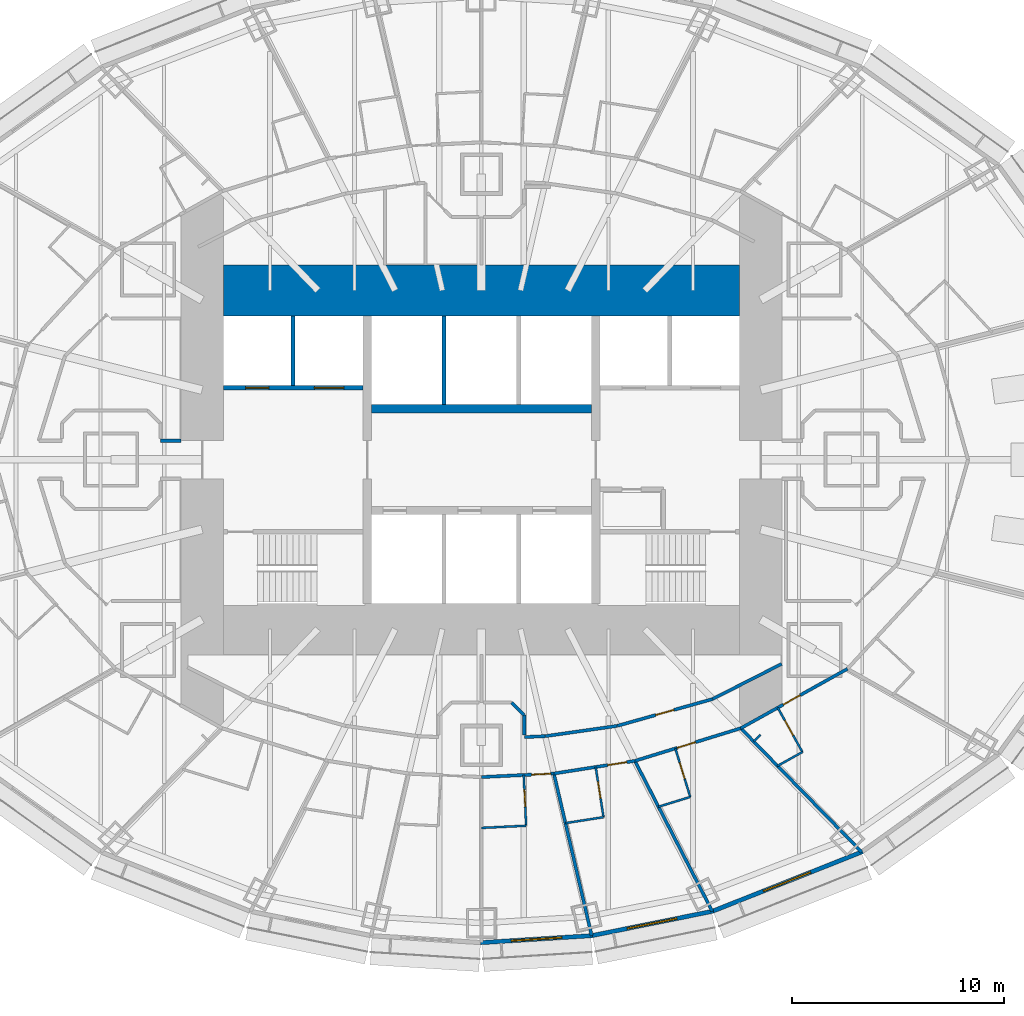
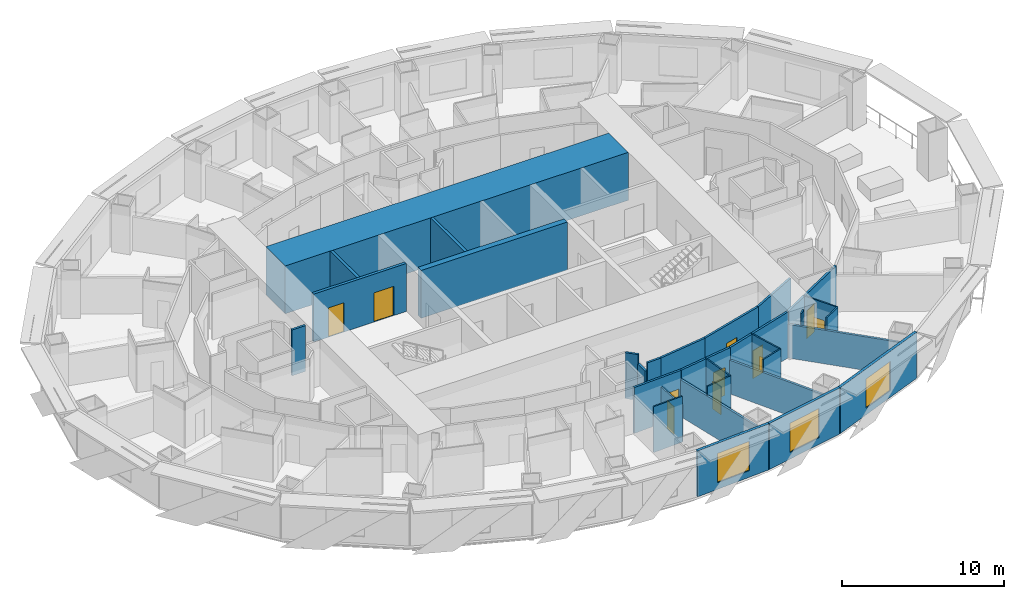
# One storey, part 7 of 17: 31 walls, 11 doors, 3 windows, 14 openings.
"""IFC4 building model written with IfcOpenShell, lengths in metres."""

from ifc_helpers import new_model, si_unit, direction, frame, frame_2d, origin, place, context, subcontext, project, spatial, rectangle, extrude, material, layer, layer_set, type_object, element, fill, save


model = new_model("IFC4")

# Units and contexts
model_context = context("Model", 3, precision=1e-05, world=origin(), true_north=direction((0.0, 1.0)))
body_context = subcontext(model_context, "Body", "Model", "MODEL_VIEW")
ifc_project = project(units=[si_unit("LENGTHUNIT", "METRE"), si_unit("AREAUNIT", "SQUARE_METRE"), si_unit("VOLUMEUNIT", "CUBIC_METRE"), si_unit("PLANEANGLEUNIT", "RADIAN"), si_unit("MASSUNIT", "GRAM", prefix="KILO")], contexts=[model_context])

# Site, building, storey
site_placement = place(None, origin())
site = spatial("IfcSite", under=ifc_project, at=site_placement, CompositionType="ELEMENT")
building_placement = place(site_placement, origin())
building = spatial("IfcBuilding", under=site, at=building_placement, Name="Lantaw Convention Tower", CompositionType="ELEMENT")
storey_placement = place(building_placement, frame((0.0, 0.0, 69.39990234375)))
storey = spatial("IfcBuildingStorey", under=building, at=storey_placement, Name="L15", CompositionType="ELEMENT", Elevation=69.39990234375)

# Walls
ifc_material_1 = material(Name="Gypsum board on steel studs", Category="steel")
ifc_layer_1 = layer(ifc_material_1, 0.14990234375)
ifc_layer_set_1 = layer_set([ifc_layer_1], Name="Back of house wall 150")
wall_type_1 = type_object("IfcWallType", Name="Back of house wall 150", PredefinedType="PARTITIONING", material=ifc_layer_set_1)
wall_1_placement = place(storey_placement, frame((1.424560546875, -11.47509765625, 0.0), z_axis=(0.0, 0.0, 1.0), x_axis=(0.707106781187, -0.707106781187, 0.0)))
element("IfcWall", 1, at=wall_1_placement, inside=storey, type_object=wall_type_1, Name="Back of house wall 150", PredefinedType="PARTITIONING", context=body_context, shape_type="SweptSolid", body=[
    extrude(rectangle(XDim=0.84912109375, YDim=0.14990234375, at=frame_2d((0.424560546875, 0.0))), origin(), (0.0, 0.0, 1.0), 3.4501953125),
])
wall_2_placement = place(storey_placement, frame((2.02490234375, -12.075439453125, 0.0), z_axis=(0.0, 0.0, 1.0), x_axis=(0.0, -1.0, 0.0)))
element("IfcWall", 2, at=wall_2_placement, inside=storey, type_object=wall_type_1, Name="Back of house wall 150", PredefinedType="PARTITIONING", context=body_context, shape_type="SweptSolid", body=[
    extrude(rectangle(XDim=0.9296875, YDim=0.14990234375, at=frame_2d((0.46484375, 0.0))), origin(), (0.0, 0.0, 1.0), 2.7490234375),
])

# Wall, opening, door
ifc_material_2 = material(Name="Moisture resistant gypsum board on steel studs", Category="steel")
ifc_layer_2 = layer(ifc_material_2, 0.10009765625)
ifc_layer_set_2 = layer_set([ifc_layer_2], Name="Bathroom wall 100")
wall_type_2 = type_object("IfcWallType", Name="Bathroom wall 100", PredefinedType="PARTITIONING", material=ifc_layer_set_2)
wall_3_placement = place(storey_placement, frame((1.99755859375, -14.902587890625, 0.0), z_axis=(0.0, 0.0, 1.0), x_axis=(0.048831470304, -0.998807032168, 0.0)))
wall_3 = element("IfcWall", 3, at=wall_3_placement, inside=storey, type_object=wall_type_2, Name="Bathroom wall 100", PredefinedType="PARTITIONING", context=body_context, shape_type="SweptSolid", body=[
    extrude(rectangle(XDim=2.39990234375, YDim=0.10009765625, at=frame_2d((1.199951171875, 0.0))), origin(), (0.0, 0.0, 1.0), 2.7490234375),
])
opening_1_placement = place(wall_3_placement, frame((0.699951171875, 0.0, 0.0)))
opening_1 = element("IfcOpeningElement", 4, at=opening_1_placement, cuts=wall_3, Name="Opening L15.59", PredefinedType="OPENING", context=body_context, shape_type="SweptSolid", body=[
    extrude(rectangle(XDim=0.800048828125, YDim=2.10009765625, at=frame_2d((0.39990234375, 1.050048828125))), frame((0.0, 0.06005859375, 0.0), z_axis=(0.0, -1.0, 0.0), x_axis=(1.0, 0.0, 0.0)), (0.0, 0.0, 1.0), 0.1201171875),
])
ifc_material_3 = material(Name="Timber", Category="wood")
door_type_1 = type_object("IfcDoorType", Name="Bathroom door 800", OperationType="SINGLE_SWING_LEFT", PredefinedType="DOOR", material=ifc_material_3)
door_1_placement = place(opening_1_placement, origin())
door_1 = element("IfcDoor", 5, at=door_1_placement, inside=storey, type_object=door_type_1, Name="Bathroom door", OperationType="SINGLE_SWING_LEFT", OverallHeight=2.10009765625, OverallWidth=0.800048828125, PredefinedType="DOOR", context=body_context, shape_type="SweptSolid", body=[
    extrude(rectangle(XDim=0.800048828125, YDim=2.10009765625, at=frame_2d((0.39990234375, 1.050048828125))), frame((0.0, 0.02490234375, 0.0), z_axis=(0.0, -1.0, 0.0), x_axis=(1.0, 0.0, 0.0)), (0.0, 0.0, 1.0), 0.050048828125),
])
fill(opening_1, door_1)

# Wall
wall_4_placement = place(storey_placement, frame((2.11474609375, -17.299560546875, 0.0), z_axis=(0.0, 0.0, 1.0), x_axis=(-0.998809749254, -0.048775862842, 0.0)))
element("IfcWall", 6, at=wall_4_placement, inside=storey, type_object=wall_type_2, Name="Bathroom wall 100", PredefinedType="PARTITIONING", context=body_context, shape_type="SweptSolid", body=[
    extrude(rectangle(XDim=2.1171875, YDim=0.10009765625, at=frame_2d((1.05859375, 0.0))), origin(), (0.0, 0.0, 1.0), 3.4501953125),
])

# Wall, opening, door
wall_5_placement = place(storey_placement, frame((5.400390625, -14.524169921875, 0.0), z_axis=(0.0, 0.0, 1.0), x_axis=(0.154426532979, -0.988004274238, 0.0)))
wall_5 = element("IfcWall", 7, at=wall_5_placement, inside=storey, type_object=wall_type_2, Name="Bathroom wall 100", PredefinedType="PARTITIONING", context=body_context, shape_type="SweptSolid", body=[
    extrude(rectangle(XDim=2.39990234375, YDim=0.10009765625, at=frame_2d((1.199951171875, 0.0))), origin(), (0.0, 0.0, 1.0), 3.4501953125),
])
opening_2_placement = place(wall_5_placement, frame((0.699951171875, 0.0, 0.0)))
opening_2 = element("IfcOpeningElement", 8, at=opening_2_placement, cuts=wall_5, Name="Opening L15.61", PredefinedType="OPENING", context=body_context, shape_type="SweptSolid", body=[
    extrude(rectangle(XDim=0.800048828125, YDim=2.10009765625, at=frame_2d((0.39990234375, 1.050048828125))), frame((0.0, 0.06005859375, 0.0), z_axis=(0.0, -1.0, 0.0), x_axis=(1.0, 0.0, 0.0)), (0.0, 0.0, 1.0), 0.1201171875),
])
door_2_placement = place(opening_2_placement, origin())
door_2 = element("IfcDoor", 9, at=door_2_placement, inside=storey, type_object=door_type_1, Name="Bathroom door", OperationType="SINGLE_SWING_LEFT", OverallHeight=2.10009765625, OverallWidth=0.800048828125, PredefinedType="DOOR", context=body_context, shape_type="SweptSolid", body=[
    extrude(rectangle(XDim=0.800048828125, YDim=2.10009765625, at=frame_2d((0.39990234375, 1.050048828125))), frame((0.0, 0.02490234375, 0.0), z_axis=(0.0, -1.0, 0.0), x_axis=(1.0, 0.0, 0.0)), (0.0, 0.0, 1.0), 0.050048828125),
])
fill(opening_2, door_2)

# Wall
wall_6_placement = place(storey_placement, frame((5.77099609375, -16.895263671875, 0.0), z_axis=(0.0, 0.0, 1.0), x_axis=(-0.98801840204, -0.154336117711, 0.0)))
element("IfcWall", 10, at=wall_6_placement, inside=storey, type_object=wall_type_2, Name="Bathroom wall 100", PredefinedType="PARTITIONING", context=body_context, shape_type="SweptSolid", body=[
    extrude(rectangle(XDim=1.8271484375, YDim=0.10009765625, at=frame_2d((0.91357421875, 0.0))), origin(), (0.0, 0.0, 1.0), 3.4501953125),
])

# Wall, opening, door
wall_7_placement = place(storey_placement, frame((9.164306640625, -13.645751953125, 0.0), z_axis=(0.0, 0.0, 1.0), x_axis=(0.294507586191, -0.955649141514, 0.0)))
wall_7 = element("IfcWall", 11, at=wall_7_placement, inside=storey, type_object=wall_type_2, Name="Bathroom wall 100", PredefinedType="PARTITIONING", context=body_context, shape_type="SweptSolid", body=[
    extrude(rectangle(XDim=2.39990234375, YDim=0.10009765625, at=frame_2d((1.199951171875, 0.0))), origin(), (0.0, 0.0, 1.0), 3.4501953125),
])
opening_3_placement = place(wall_7_placement, frame((0.699951171875, 0.0, 0.0)))
opening_3 = element("IfcOpeningElement", 12, at=opening_3_placement, cuts=wall_7, Name="Opening L15.63", PredefinedType="OPENING", context=body_context, shape_type="SweptSolid", body=[
    extrude(rectangle(XDim=0.800048828125, YDim=2.10009765625, at=frame_2d((0.39990234375, 1.050048828125))), frame((0.0, 0.06005859375, 0.0), z_axis=(0.0, -1.0, 0.0), x_axis=(1.0, 0.0, 0.0)), (0.0, 0.0, 1.0), 0.1201171875),
])
door_3_placement = place(opening_3_placement, origin())
door_3 = element("IfcDoor", 13, at=door_3_placement, inside=storey, type_object=door_type_1, Name="Bathroom door", OperationType="SINGLE_SWING_LEFT", OverallHeight=2.10009765625, OverallWidth=0.800048828125, PredefinedType="DOOR", context=body_context, shape_type="SweptSolid", body=[
    extrude(rectangle(XDim=0.800048828125, YDim=2.10009765625, at=frame_2d((0.39990234375, 1.050048828125))), frame((0.0, 0.02490234375, 0.0), z_axis=(0.0, -1.0, 0.0), x_axis=(1.0, 0.0, 0.0)), (0.0, 0.0, 1.0), 0.050048828125),
])
fill(opening_3, door_3)

# Wall
wall_8_placement = place(storey_placement, frame((9.87109375, -15.939208984375, 0.0), z_axis=(0.0, 0.0, 1.0), x_axis=(-0.955642133669, -0.29453032502, 0.0)))
element("IfcWall", 14, at=wall_8_placement, inside=storey, type_object=wall_type_2, Name="Bathroom wall 100", PredefinedType="PARTITIONING", context=body_context, shape_type="SweptSolid", body=[
    extrude(rectangle(XDim=1.58251953125, YDim=0.10009765625, at=frame_2d((0.791259765625, 0.0))), origin(), (0.0, 0.0, 1.0), 3.4501953125),
])

# Wall, opening, door
wall_9_placement = place(storey_placement, frame((14.00439453125, -11.719482421875, 0.0), z_axis=(0.0, 0.0, 1.0), x_axis=(0.486445964861, -0.873710663361, 0.0)))
wall_9 = element("IfcWall", 15, at=wall_9_placement, inside=storey, type_object=wall_type_2, Name="Bathroom wall 100", PredefinedType="PARTITIONING", context=body_context, shape_type="SweptSolid", body=[
    extrude(rectangle(XDim=2.39990234375, YDim=0.10009765625, at=frame_2d((1.199951171875, 0.0))), origin(), (0.0, 0.0, 1.0), 3.4501953125),
])
opening_4_placement = place(wall_9_placement, frame((0.699951171875, 0.0, 0.0)))
opening_4 = element("IfcOpeningElement", 16, at=opening_4_placement, cuts=wall_9, Name="Opening L15.65", PredefinedType="OPENING", context=body_context, shape_type="SweptSolid", body=[
    extrude(rectangle(XDim=0.800048828125, YDim=2.10009765625, at=frame_2d((0.39990234375, 1.050048828125))), frame((0.0, 0.06005859375, 0.0), z_axis=(0.0, -1.0, 0.0), x_axis=(1.0, 0.0, 0.0)), (0.0, 0.0, 1.0), 0.1201171875),
])
door_4_placement = place(opening_4_placement, origin())
door_4 = element("IfcDoor", 17, at=door_4_placement, inside=storey, type_object=door_type_1, Name="Bathroom door", OperationType="SINGLE_SWING_LEFT", OverallHeight=2.10009765625, OverallWidth=0.800048828125, PredefinedType="DOOR", context=body_context, shape_type="SweptSolid", body=[
    extrude(rectangle(XDim=0.800048828125, YDim=2.10009765625, at=frame_2d((0.39990234375, 1.050048828125))), frame((0.0, 0.02490234375, 0.0), z_axis=(0.0, -1.0, 0.0), x_axis=(1.0, 0.0, 0.0)), (0.0, 0.0, 1.0), 0.050048828125),
])
fill(opening_4, door_4)

# Walls
wall_10_placement = place(storey_placement, frame((15.171875, -13.81640625, 0.0), z_axis=(0.0, 0.0, 1.0), x_axis=(-0.873640924532, -0.486571202377, 0.0)))
element("IfcWall", 18, at=wall_10_placement, inside=storey, type_object=wall_type_2, Name="Bathroom wall 100", PredefinedType="PARTITIONING", context=body_context, shape_type="SweptSolid", body=[
    extrude(rectangle(XDim=1.36181640625, YDim=0.10009765625, at=frame_2d((0.680908203125, 0.0))), origin(), (0.0, 0.0, 1.0), 3.4501953125),
])
ifc_material_4 = material(Name="Concrete C60/75", Category="concrete")
ifc_layer_3 = layer(ifc_material_4, 2.39990234375)
ifc_layer_set_3 = layer_set([ifc_layer_3], Name="Core wall 2400")
wall_type_3 = type_object("IfcWallType", Name="Core wall 2400", PredefinedType="SHEAR", material=ifc_layer_set_3)
wall_11_placement = place(storey_placement, frame((12.199951171875, 8.0, 0.0), z_axis=(0.0, 0.0, 1.0), x_axis=(-1.0, 0.0, 0.0)))
element("IfcWall", 19, at=wall_11_placement, inside=storey, type_object=wall_type_3, Name="Core wall N", PredefinedType="SHEAR", context=body_context, shape_type="SweptSolid", body=[
    extrude(rectangle(XDim=24.39990234375, YDim=2.39990234375, at=frame_2d((12.199951171875, 0.0))), origin(), (0.0, 0.0, 1.0), 3.60009765625),
])
ifc_layer_4 = layer(ifc_material_4, 0.39990234375)
ifc_layer_set_4 = layer_set([ifc_layer_4], Name="Core wall 400")
wall_type_4 = type_object("IfcWallType", Name="Core wall 400", PredefinedType="SHEAR", material=ifc_layer_set_4)
wall_12_placement = place(storey_placement, frame((5.199951171875, 2.39990234375, 0.0), z_axis=(0.0, 0.0, 1.0), x_axis=(-1.0, 0.0, 0.0)))
element("IfcWall", 20, at=wall_12_placement, inside=storey, type_object=wall_type_4, Name="Core wall BN", PredefinedType="SHEAR", context=body_context, shape_type="SweptSolid", body=[
    extrude(rectangle(XDim=10.39990234375, YDim=0.39990234375, at=frame_2d((5.199951171875, 0.0))), origin(), (0.0, 0.0, 1.0), 3.60009765625),
])

# Wall, opening, door
ifc_material_5 = material(Name="Gypsum board on steel studs, fire rated", Category="steel")
ifc_layer_5 = layer(ifc_material_5, 0.14990234375)
ifc_layer_set_5 = layer_set([ifc_layer_5], Name="Corridor wall 150 EI 60")
wall_type_5 = type_object("IfcWallType", Name="Corridor wall 150 EI 60", PredefinedType="PARTITIONING", material=ifc_layer_set_5)
wall_13_placement = place(storey_placement, frame((0.0, -15.0, 0.0), z_axis=(0.0, 0.0, 1.0), x_axis=(0.998809560203, 0.048779733975, 0.0)))
wall_13 = element("IfcWall", 21, at=wall_13_placement, inside=storey, type_object=wall_type_5, Name="Corridor wall 150", PredefinedType="PARTITIONING", context=body_context, shape_type="SweptSolid", body=[
    extrude(rectangle(XDim=3.428466796875, YDim=0.14990234375, at=frame_2d((1.71435546875, 0.0))), origin(), (0.0, 0.0, 1.0), 3.4501953125),
])
opening_5_placement = place(wall_13_placement, frame((2.37841796875, 0.0, 0.0)))
opening_5 = element("IfcOpeningElement", 22, at=opening_5_placement, cuts=wall_13, Name="Opening L15.60", PredefinedType="OPENING", context=body_context, shape_type="SweptSolid", body=[
    extrude(rectangle(XDim=0.89990234375, YDim=2.10009765625, at=frame_2d((0.449951171875, 1.050048828125))), frame((0.0, 0.0849609375, 0.0), z_axis=(0.0, -1.0, 0.0), x_axis=(1.0, 0.0, 0.0)), (0.0, 0.0, 1.0), 0.169921875),
])
ifc_material_6 = material(Name="Steel, fire rated", Category="steel")
door_type_2 = type_object("IfcDoorType", Name="Guest room entrance door FD30S", OperationType="SINGLE_SWING_LEFT", PredefinedType="DOOR", material=ifc_material_6)
door_5_placement = place(opening_5_placement, origin())
door_5 = element("IfcDoor", 23, at=door_5_placement, inside=storey, type_object=door_type_2, Name="Guest room entrance door", OperationType="SINGLE_SWING_LEFT", OverallHeight=2.10009765625, OverallWidth=0.89990234375, PredefinedType="DOOR", context=body_context, shape_type="SweptSolid", body=[
    extrude(rectangle(XDim=0.89990234375, YDim=2.10009765625, at=frame_2d((0.449951171875, 1.050048828125))), frame((0.0, 0.02490234375, 0.0), z_axis=(0.0, -1.0, 0.0), x_axis=(1.0, 0.0, 0.0)), (0.0, 0.0, 1.0), 0.050048828125),
])
fill(opening_5, door_5)

wall_14_placement = place(storey_placement, frame((3.42431640625, -14.832763671875, 0.0), z_axis=(0.0, 0.0, 1.0), x_axis=(0.988015036573, 0.154357660987, 0.0)))
wall_14 = element("IfcWall", 24, at=wall_14_placement, inside=storey, type_object=wall_type_5, Name="Corridor wall 150", PredefinedType="PARTITIONING", context=body_context, shape_type="SweptSolid", body=[
    extrude(rectangle(XDim=3.875, YDim=0.14990234375, at=frame_2d((1.9375, 0.0))), origin(), (0.0, 0.0, 1.0), 3.4501953125),
])
opening_6_placement = place(wall_14_placement, frame((2.583251953125, 0.0, 0.0)))
opening_6 = element("IfcOpeningElement", 25, at=opening_6_placement, cuts=wall_14, Name="Opening L15.62", PredefinedType="OPENING", context=body_context, shape_type="SweptSolid", body=[
    extrude(rectangle(XDim=0.89990234375, YDim=2.10009765625, at=frame_2d((0.449951171875, 1.050048828125))), frame((0.0, 0.0849609375, 0.0), z_axis=(0.0, -1.0, 0.0), x_axis=(1.0, 0.0, 0.0)), (0.0, 0.0, 1.0), 0.169921875),
])
door_6_placement = place(opening_6_placement, origin())
door_6 = element("IfcDoor", 26, at=door_6_placement, inside=storey, type_object=door_type_2, Name="Guest room entrance door", OperationType="SINGLE_SWING_LEFT", OverallHeight=2.10009765625, OverallWidth=0.89990234375, PredefinedType="DOOR", context=body_context, shape_type="SweptSolid", body=[
    extrude(rectangle(XDim=0.89990234375, YDim=2.10009765625, at=frame_2d((0.449951171875, 1.050048828125))), frame((0.0, 0.02490234375, 0.0), z_axis=(0.0, -1.0, 0.0), x_axis=(1.0, 0.0, 0.0)), (0.0, 0.0, 1.0), 0.050048828125),
])
fill(opening_6, door_6)

wall_15_placement = place(storey_placement, frame((7.2529296875, -14.234619140625, 0.0), z_axis=(0.0, 0.0, 1.0), x_axis=(0.955657956744, 0.294478980085, 0.0)))
wall_15 = element("IfcWall", 27, at=wall_15_placement, inside=storey, type_object=wall_type_5, Name="Corridor wall 150", PredefinedType="PARTITIONING", context=body_context, shape_type="SweptSolid", body=[
    extrude(rectangle(XDim=5.236328125, YDim=0.14990234375, at=frame_2d((2.6181640625, 0.0))), origin(), (0.0, 0.0, 1.0), 3.4501953125),
])
opening_7_placement = place(wall_15_placement, frame((2.10009765625, 0.0, 0.0)))
opening_7 = element("IfcOpeningElement", 28, at=opening_7_placement, cuts=wall_15, Name="Opening L15.64", PredefinedType="OPENING", context=body_context, shape_type="SweptSolid", body=[
    extrude(rectangle(XDim=0.89990234375, YDim=2.10009765625, at=frame_2d((0.449951171875, 1.050048828125))), frame((0.0, 0.0849609375, 0.0), z_axis=(0.0, -1.0, 0.0), x_axis=(1.0, 0.0, 0.0)), (0.0, 0.0, 1.0), 0.169921875),
])
door_7_placement = place(opening_7_placement, origin())
door_7 = element("IfcDoor", 29, at=door_7_placement, inside=storey, type_object=door_type_2, Name="Guest room entrance door", OperationType="SINGLE_SWING_LEFT", OverallHeight=2.10009765625, OverallWidth=0.89990234375, PredefinedType="DOOR", context=body_context, shape_type="SweptSolid", body=[
    extrude(rectangle(XDim=0.89990234375, YDim=2.10009765625, at=frame_2d((0.449951171875, 1.050048828125))), frame((0.0, 0.02490234375, 0.0), z_axis=(0.0, -1.0, 0.0), x_axis=(1.0, 0.0, 0.0)), (0.0, 0.0, 1.0), 0.050048828125),
])
fill(opening_7, door_7)

wall_16_placement = place(storey_placement, frame((12.257080078125, -12.692626953125, 0.0), z_axis=(0.0, 0.0, 1.0), x_axis=(0.873695910579, 0.486472461541, 0.0)))
wall_16 = element("IfcWall", 30, at=wall_16_placement, inside=storey, type_object=wall_type_5, Name="Corridor wall 150", PredefinedType="PARTITIONING", context=body_context, shape_type="SweptSolid", body=[
    extrude(rectangle(XDim=5.77099609375, YDim=0.14990234375, at=frame_2d((2.885498046875, 0.0))), origin(), (0.0, 0.0, 1.0), 3.4501953125),
])
opening_8_placement = place(wall_16_placement, frame((2.306396484375, 0.0, 0.0)))
opening_8 = element("IfcOpeningElement", 31, at=opening_8_placement, cuts=wall_16, Name="Opening L15.66", PredefinedType="OPENING", context=body_context, shape_type="SweptSolid", body=[
    extrude(rectangle(XDim=0.89990234375, YDim=2.10009765625, at=frame_2d((0.449951171875, 1.050048828125))), frame((0.0, 0.0849609375, 0.0), z_axis=(0.0, -1.0, 0.0), x_axis=(1.0, 0.0, 0.0)), (0.0, 0.0, 1.0), 0.169921875),
])
door_8_placement = place(opening_8_placement, origin())
door_8 = element("IfcDoor", 32, at=door_8_placement, inside=storey, type_object=door_type_2, Name="Guest room entrance door", OperationType="SINGLE_SWING_LEFT", OverallHeight=2.10009765625, OverallWidth=0.89990234375, PredefinedType="DOOR", context=body_context, shape_type="SweptSolid", body=[
    extrude(rectangle(XDim=0.89990234375, YDim=2.10009765625, at=frame_2d((0.449951171875, 1.050048828125))), frame((0.0, 0.02490234375, 0.0), z_axis=(0.0, -1.0, 0.0), x_axis=(1.0, 0.0, 0.0)), (0.0, 0.0, 1.0), 0.050048828125),
])
fill(opening_8, door_8)

# Wall
wall_17_placement = place(storey_placement, frame((3.016357421875, -13.065673828125, 0.0), z_axis=(0.0, 0.0, 1.0), x_axis=(0.990002114939, 0.14105251652, 0.0)))
element("IfcWall", 33, at=wall_17_placement, inside=storey, type_object=wall_type_5, Name="Corridor wall 150", PredefinedType="PARTITIONING", context=body_context, shape_type="SweptSolid", body=[
    extrude(rectangle(XDim=3.4287109375, YDim=0.14990234375, at=frame_2d((1.71435546875, 0.0))), origin(), (0.0, 0.0, 1.0), 3.4501953125),
])

# Wall, opening, door
wall_18_placement = place(storey_placement, frame((6.410888671875, -12.58203125, 0.0), z_axis=(0.0, 0.0, 1.0), x_axis=(0.962643729928, 0.270771211967, 0.0)))
wall_18 = element("IfcWall", 34, at=wall_18_placement, inside=storey, type_object=wall_type_5, Name="Corridor wall 150", PredefinedType="PARTITIONING", context=body_context, shape_type="SweptSolid", body=[
    extrude(rectangle(XDim=4.6884765625, YDim=0.14990234375, at=frame_2d((2.34423828125, 0.0))), origin(), (0.0, 0.0, 1.0), 3.4501953125),
])
opening_9_placement = place(wall_18_placement, frame((1.894287109375, 0.0, 0.0)))
opening_9 = element("IfcOpeningElement", 35, at=opening_9_placement, cuts=wall_18, Name="Opening L15.23", PredefinedType="OPENING", context=body_context, shape_type="SweptSolid", body=[
    extrude(rectangle(XDim=0.89990234375, YDim=2.10009765625, at=frame_2d((0.449951171875, 1.050048828125))), frame((0.0, 0.0849609375, 0.0), z_axis=(0.0, -1.0, 0.0), x_axis=(1.0, 0.0, 0.0)), (0.0, 0.0, 1.0), 0.169921875),
])
door_type_3 = type_object("IfcDoorType", Name="Service door 900 FD30", OperationType="SINGLE_SWING_LEFT", PredefinedType="DOOR", material=ifc_material_6)
door_9_placement = place(opening_9_placement, origin())
door_9 = element("IfcDoor", 36, at=door_9_placement, inside=storey, type_object=door_type_3, Name="Guest ice and vending room door", OperationType="SINGLE_SWING_LEFT", OverallHeight=2.10009765625, OverallWidth=0.89990234375, PredefinedType="DOOR", context=body_context, shape_type="SweptSolid", body=[
    extrude(rectangle(XDim=0.89990234375, YDim=2.10009765625, at=frame_2d((0.449951171875, 1.050048828125))), frame((0.0, 0.02490234375, 0.0), z_axis=(0.0, -1.0, 0.0), x_axis=(1.0, 0.0, 0.0)), (0.0, 0.0, 1.0), 0.050048828125),
])
fill(opening_9, door_9)

# Walls
wall_19_placement = place(storey_placement, frame((-14.199951171875, 0.89990234375, 0.0), z_axis=(0.0, 0.0, 1.0), x_axis=(-1.0, 0.0, 0.0)))
element("IfcWall", 37, at=wall_19_placement, inside=storey, type_object=wall_type_5, Name="Corridor wall 150", PredefinedType="PARTITIONING", context=body_context, shape_type="SweptSolid", body=[
    extrude(rectangle(XDim=0.965087890625, YDim=0.14990234375, at=frame_2d((0.482421875, 0.0))), origin(), (0.0, 0.0, 1.0), 3.4501953125),
])
wall_20_placement = place(storey_placement, frame((2.034912109375, -13.109375, 0.0), z_axis=(0.0, 0.0, 1.0), x_axis=(0.999010128674, 0.044483286824, 0.0)))
element("IfcWall", 38, at=wall_20_placement, inside=storey, type_object=wall_type_5, Name="Corridor wall 150", PredefinedType="PARTITIONING", context=body_context, shape_type="SweptSolid", body=[
    extrude(rectangle(XDim=0.982421875, YDim=0.14990234375, at=frame_2d((0.4912109375, 0.0))), origin(), (0.0, 0.0, 1.0), 3.4501953125),
])
wall_21_placement = place(storey_placement, frame((10.92431640625, -11.3125, 0.0), z_axis=(0.0, 0.0, 1.0), x_axis=(0.891394713219, 0.453227829292, 0.0)))
element("IfcWall", 39, at=wall_21_placement, inside=storey, type_object=wall_type_5, Name="Corridor wall 150", PredefinedType="PARTITIONING", context=body_context, shape_type="SweptSolid", body=[
    extrude(rectangle(XDim=3.66357421875, YDim=0.14990234375, at=frame_2d((1.831787109375, 0.0))), origin(), (0.0, 0.0, 1.0), 3.4501953125),
])

# Wall, opening, window
ifc_material_7 = material(Name="Insulated aluminium panel on steel frame", Category="steel")
ifc_layer_6 = layer(ifc_material_7, 0.199951171875)
ifc_layer_set_6 = layer_set([ifc_layer_6], Name="External wall 200")
wall_type_6 = type_object("IfcWallType", Name="External wall 200", PredefinedType="SOLIDWALL", material=ifc_layer_set_6)
wall_22_placement = place(storey_placement, frame((-0.041015625, -22.8271484375, 0.0), z_axis=(0.0, 0.0, 1.0), x_axis=(0.998018582375, 0.062919863585, 0.0)))
wall_22 = element("IfcWall", 40, at=wall_22_placement, inside=storey, type_object=wall_type_6, Name="Facade panel wall", PredefinedType="SOLIDWALL", context=body_context, shape_type="SweptSolid", body=[
    extrude(rectangle(XDim=5.30419921875, YDim=0.199951171875, at=frame_2d((2.652099609375, 0.0))), origin(), (0.0, 0.0, 1.0), 3.4501953125),
])
opening_10_placement = place(wall_22_placement, frame((1.4521484375, 0.0, 0.5)))
opening_10 = element("IfcOpeningElement", 41, at=opening_10_placement, cuts=wall_22, Name="Opening W1", PredefinedType="OPENING", context=body_context, shape_type="SweptSolid", body=[
    extrude(rectangle(XDim=2.39990234375, YDim=2.199951171875, at=frame_2d((1.199951171875, 1.10009765625))), frame((0.0, 0.10986328125, 0.0), z_axis=(0.0, -1.0, 0.0), x_axis=(1.0, 0.0, 0.0)), (0.0, 0.0, 1.0), 0.219970703125),
])
ifc_material_8 = material(Name="Aluminium frame, clear insulating glass", Category="aluminium")
window_type = type_object("IfcWindowType", Name="Guest room window 2400x2200", PartitioningType="SINGLE_PANEL", PredefinedType="WINDOW", material=ifc_material_8)
window_1_placement = place(opening_10_placement, origin())
window_1 = element("IfcWindow", 42, at=window_1_placement, inside=storey, type_object=window_type, Name="Guest room window", OverallHeight=2.199951171875, OverallWidth=2.39990234375, PartitioningType="SINGLE_PANEL", PredefinedType="WINDOW", context=body_context, shape_type="SweptSolid", body=[
    extrude(rectangle(XDim=2.39990234375, YDim=2.199951171875, at=frame_2d((1.199951171875, 1.10009765625))), frame((0.0, 0.030029296875, 0.0), z_axis=(0.0, -1.0, 0.0), x_axis=(1.0, 0.0, 0.0)), (0.0, 0.0, 1.0), 0.06005859375),
])
fill(opening_10, window_1)

wall_23_placement = place(storey_placement, frame((5.169677734375, -22.504150390625, 0.0), z_axis=(0.0, 0.0, 1.0), x_axis=(0.980251657452, 0.197754110105, 0.0)))
wall_23 = element("IfcWall", 43, at=wall_23_placement, inside=storey, type_object=wall_type_6, Name="Facade panel wall", PredefinedType="SOLIDWALL", context=body_context, shape_type="SweptSolid", body=[
    extrude(rectangle(XDim=5.90380859375, YDim=0.199951171875, at=frame_2d((2.951904296875, 0.0))), origin(), (0.0, 0.0, 1.0), 3.4501953125),
])
opening_11_placement = place(wall_23_placement, frame((1.751708984375, 0.0, 0.5)))
opening_11 = element("IfcOpeningElement", 44, at=opening_11_placement, cuts=wall_23, Name="Opening W1", PredefinedType="OPENING", context=body_context, shape_type="SweptSolid", body=[
    extrude(rectangle(XDim=2.39990234375, YDim=2.199951171875, at=frame_2d((1.199951171875, 1.10009765625))), frame((0.0, 0.10986328125, 0.0), z_axis=(0.0, -1.0, 0.0), x_axis=(1.0, 0.0, 0.0)), (0.0, 0.0, 1.0), 0.219970703125),
])
window_2_placement = place(opening_11_placement, origin())
window_2 = element("IfcWindow", 45, at=window_2_placement, inside=storey, type_object=window_type, Name="Guest room window", OverallHeight=2.199951171875, OverallWidth=2.39990234375, PartitioningType="SINGLE_PANEL", PredefinedType="WINDOW", context=body_context, shape_type="SweptSolid", body=[
    extrude(rectangle(XDim=2.39990234375, YDim=2.199951171875, at=frame_2d((1.199951171875, 1.10009765625))), frame((0.0, 0.030029296875, 0.0), z_axis=(0.0, -1.0, 0.0), x_axis=(1.0, 0.0, 0.0)), (0.0, 0.0, 1.0), 0.06005859375),
])
fill(opening_11, window_2)

wall_24_placement = place(storey_placement, frame((10.869384765625, -21.362548828125, 0.0), z_axis=(0.0, 0.0, 1.0), x_axis=(0.929358351251, 0.369178892895, 0.0)))
wall_24 = element("IfcWall", 46, at=wall_24_placement, inside=storey, type_object=wall_type_6, Name="Facade panel wall", PredefinedType="SOLIDWALL", context=body_context, shape_type="SweptSolid", body=[
    extrude(rectangle(XDim=7.6923828125, YDim=0.199951171875, at=frame_2d((3.84619140625, 0.0))), origin(), (0.0, 0.0, 1.0), 3.4501953125),
])
opening_12_placement = place(wall_24_placement, frame((2.64599609375, 0.0, 0.5)))
opening_12 = element("IfcOpeningElement", 47, at=opening_12_placement, cuts=wall_24, Name="Opening W1", PredefinedType="OPENING", context=body_context, shape_type="SweptSolid", body=[
    extrude(rectangle(XDim=2.39990234375, YDim=2.199951171875, at=frame_2d((1.199951171875, 1.10009765625))), frame((0.0, 0.10986328125, 0.0), z_axis=(0.0, -1.0, 0.0), x_axis=(1.0, 0.0, 0.0)), (0.0, 0.0, 1.0), 0.219970703125),
])
window_3_placement = place(opening_12_placement, origin())
window_3 = element("IfcWindow", 48, at=window_3_placement, inside=storey, type_object=window_type, Name="Guest room window", OverallHeight=2.199951171875, OverallWidth=2.39990234375, PartitioningType="SINGLE_PANEL", PredefinedType="WINDOW", context=body_context, shape_type="SweptSolid", body=[
    extrude(rectangle(XDim=2.39990234375, YDim=2.199951171875, at=frame_2d((1.199951171875, 1.10009765625))), frame((0.0, 0.030029296875, 0.0), z_axis=(0.0, -1.0, 0.0), x_axis=(1.0, 0.0, 0.0)), (0.0, 0.0, 1.0), 0.06005859375),
])
fill(opening_12, window_3)

# Walls
ifc_material_9 = material(Name="Gypsum board on steel studs, acoustic", Category="steel")
ifc_layer_7 = layer(ifc_material_9, 0.14990234375)
ifc_layer_set_7 = layer_set([ifc_layer_7], Name="Guest room party wall 150")
wall_type_7 = type_object("IfcWallType", Name="Guest room party wall 150", PredefinedType="PARTITIONING", material=ifc_layer_set_7)
wall_25_placement = place(storey_placement, frame((5.2109375, -22.495849609375, 0.0), z_axis=(0.0, 0.0, 1.0), x_axis=(-0.227056984461, 0.973881474209, 0.0)))
element("IfcWall", 49, at=wall_25_placement, inside=storey, type_object=wall_type_7, Name="Guest room party wall 150", PredefinedType="PARTITIONING", context=body_context, shape_type="SweptSolid", body=[
    extrude(rectangle(XDim=7.86865234375, YDim=0.14990234375, at=frame_2d((3.934326171875, 0.0))), origin(), (0.0, 0.0, 1.0), 2.766845703125),
])
wall_26_placement = place(storey_placement, frame((10.911865234375, -21.345703125, 0.0), z_axis=(0.0, 0.0, 1.0), x_axis=(-0.45752665959, 0.889195904042, 0.0)))
element("IfcWall", 50, at=wall_26_placement, inside=storey, type_object=wall_type_7, Name="Guest room party wall 150", PredefinedType="PARTITIONING", context=body_context, shape_type="SweptSolid", body=[
    extrude(rectangle(XDim=7.997314453125, YDim=0.14990234375, at=frame_2d((3.99853515625, 0.0))), origin(), (0.0, 0.0, 1.0), 2.528076171875),
])
wall_27_placement = place(storey_placement, frame((17.970458984375, -18.541748046875, 0.0), z_axis=(0.0, 0.0, 1.0), x_axis=(-0.698757291878, 0.715358823981, 0.0)))
element("IfcWall", 51, at=wall_27_placement, inside=storey, type_object=wall_type_7, Name="Guest room party wall 150", PredefinedType="PARTITIONING", context=body_context, shape_type="SweptSolid", body=[
    extrude(rectangle(XDim=8.176513671875, YDim=0.14990234375, at=frame_2d((4.08837890625, 0.0))), origin(), (0.0, 0.0, 1.0), 2.528076171875),
])
ifc_layer_8 = layer(ifc_material_9, 0.10009765625)
ifc_layer_set_8 = layer_set([ifc_layer_8], Name="Office partition 100")
wall_type_8 = type_object("IfcWallType", Name="Office partition 100", PredefinedType="PARTITIONING", material=ifc_layer_set_8)
wall_28_placement = place(storey_placement, frame((13.199951171875, -13.0, 0.0), z_axis=(0.0, 0.0, 1.0), x_axis=(-0.715289751842, -0.698827998087, 0.0)))
element("IfcWall", 52, at=wall_28_placement, inside=storey, type_object=wall_type_8, Name="Office partition 100", PredefinedType="PARTITIONING", context=body_context, shape_type="SweptSolid", body=[
    extrude(rectangle(XDim=0.459716796875, YDim=0.10009765625, at=frame_2d((0.22998046875, 0.0))), origin(), (0.0, 0.0, 1.0), 3.4501953125),
])
ifc_material_10 = material(Name="Concrete blockwork, fire rated", Category="masonry")
ifc_layer_9 = layer(ifc_material_10, 0.199951171875)
ifc_layer_set_9 = layer_set([ifc_layer_9], Name="Shaft wall 200")
wall_type_9 = type_object("IfcWallType", Name="Shaft wall 200", PredefinedType="SOLIDWALL", material=ifc_layer_set_9)
wall_29_placement = place(storey_placement, frame((-1.7666015625, 2.60009765625, 0.0), z_axis=(0.0, 0.0, 1.0), x_axis=(0.0, 1.0, 0.0)))
element("IfcWall", 53, at=wall_29_placement, inside=storey, type_object=wall_type_9, Name="Shaft wall DN1", PredefinedType="SOLIDWALL", context=body_context, shape_type="SweptSolid", body=[
    extrude(rectangle(XDim=4.199951171875, YDim=0.199951171875, at=frame_2d((2.10009765625, 0.0))), origin(), (0.0, 0.0, 1.0), 3.60009765625),
])

# Wall, openings, doors
wall_30_placement = place(storey_placement, frame((-12.199951171875, 3.39990234375, 0.0), z_axis=(0.0, 0.0, 1.0), x_axis=(1.0, 0.0, 0.0)))
wall_30 = element("IfcWall", 54, at=wall_30_placement, inside=storey, type_object=wall_type_9, Name="Shaft wall WN", PredefinedType="SOLIDWALL", context=body_context, shape_type="SweptSolid", body=[
    extrude(rectangle(XDim=6.599853515625, YDim=0.199951171875, at=frame_2d((3.2998046875, 0.0))), origin(), (0.0, 0.0, 1.0), 3.60009765625),
])
opening_13_placement = place(wall_30_placement, frame((1.050048828125, 0.0, 0.0)))
opening_13 = element("IfcOpeningElement", 55, at=opening_13_placement, cuts=wall_30, Name="Opening L15.11", PredefinedType="OPENING", context=body_context, shape_type="SweptSolid", body=[
    extrude(rectangle(XDim=1.10009765625, YDim=2.199951171875, at=frame_2d((0.550048828125, 1.10009765625))), frame((0.0, 0.10986328125, 0.0), z_axis=(0.0, -1.0, 0.0), x_axis=(1.0, 0.0, 0.0)), (0.0, 0.0, 1.0), 0.219970703125),
])
opening_14_placement = place(wall_30_placement, frame((4.300048828125, 0.0, 0.0)))
opening_14 = element("IfcOpeningElement", 56, at=opening_14_placement, cuts=wall_30, Name="Opening L15.12", PredefinedType="OPENING", context=body_context, shape_type="SweptSolid", body=[
    extrude(rectangle(XDim=1.39990234375, YDim=2.199951171875, at=frame_2d((0.699951171875, 1.10009765625))), frame((0.0, 0.10986328125, 0.0), z_axis=(0.0, -1.0, 0.0), x_axis=(1.0, 0.0, 0.0)), (0.0, 0.0, 1.0), 0.219970703125),
])
ifc_material_11 = material(Name="Stainless steel", Category="steel")
door_type_4 = type_object("IfcDoorType", Name="Lift landing door 1100", OperationType="DOUBLE_DOOR_SLIDING", PredefinedType="DOOR", material=ifc_material_11)
door_10_placement = place(opening_13_placement, origin())
door_10 = element("IfcDoor", 57, at=door_10_placement, inside=storey, type_object=door_type_4, Name="Lift landing door FF1", OperationType="DOUBLE_DOOR_SLIDING", OverallHeight=2.199951171875, OverallWidth=1.10009765625, PredefinedType="DOOR", context=body_context, shape_type="SweptSolid", body=[
    extrude(rectangle(XDim=1.10009765625, YDim=2.199951171875, at=frame_2d((0.550048828125, 1.10009765625))), frame((0.0, 0.02490234375, 0.0), z_axis=(0.0, -1.0, 0.0), x_axis=(1.0, 0.0, 0.0)), (0.0, 0.0, 1.0), 0.050048828125),
])
fill(opening_13, door_10)
door_type_5 = type_object("IfcDoorType", Name="Lift landing door 1400", OperationType="DOUBLE_DOOR_SLIDING", PredefinedType="DOOR", material=ifc_material_11)
door_11_placement = place(opening_14_placement, origin())
door_11 = element("IfcDoor", 58, at=door_11_placement, inside=storey, type_object=door_type_5, Name="Lift landing door SV1", OperationType="DOUBLE_DOOR_SLIDING", OverallHeight=2.199951171875, OverallWidth=1.39990234375, PredefinedType="DOOR", context=body_context, shape_type="SweptSolid", body=[
    extrude(rectangle(XDim=1.39990234375, YDim=2.199951171875, at=frame_2d((0.699951171875, 1.10009765625))), frame((0.0, 0.02490234375, 0.0), z_axis=(0.0, -1.0, 0.0), x_axis=(1.0, 0.0, 0.0)), (0.0, 0.0, 1.0), 0.050048828125),
])
fill(opening_14, door_11)

# Wall
wall_31_placement = place(storey_placement, frame((-8.89990234375, 3.5, 0.0), z_axis=(0.0, 0.0, 1.0), x_axis=(0.0, 1.0, 0.0)))
element("IfcWall", 59, at=wall_31_placement, inside=storey, type_object=wall_type_9, Name="Shaft wall WD", PredefinedType="SOLIDWALL", context=body_context, shape_type="SweptSolid", body=[
    extrude(rectangle(XDim=3.300048828125, YDim=0.199951171875, at=frame_2d((1.64990234375, 0.0))), origin(), (0.0, 0.0, 1.0), 3.60009765625),
])

save(model, "model.ifc")
